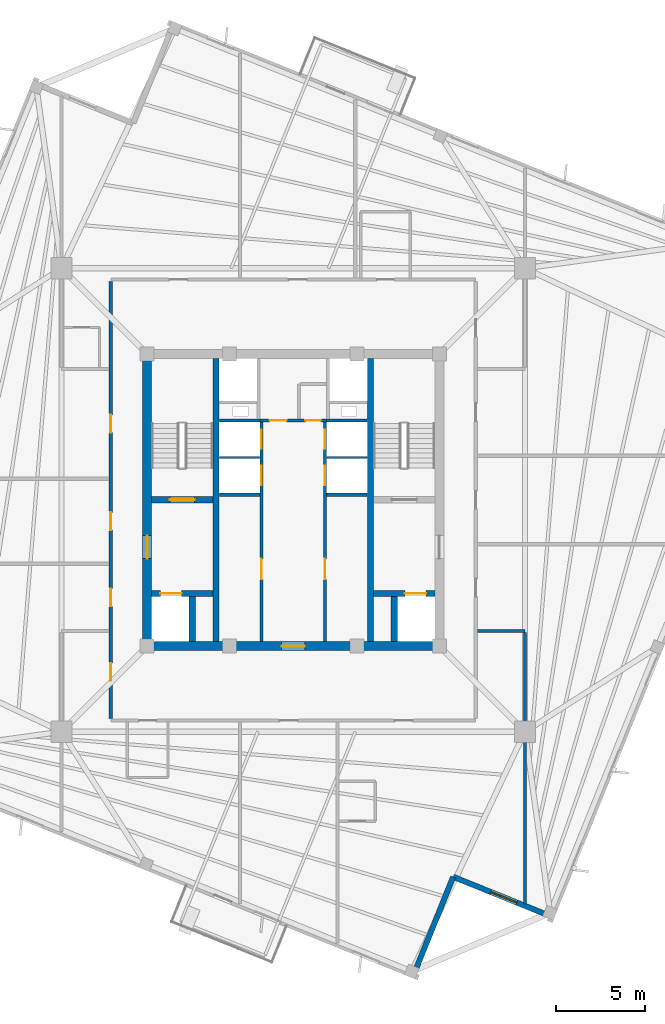
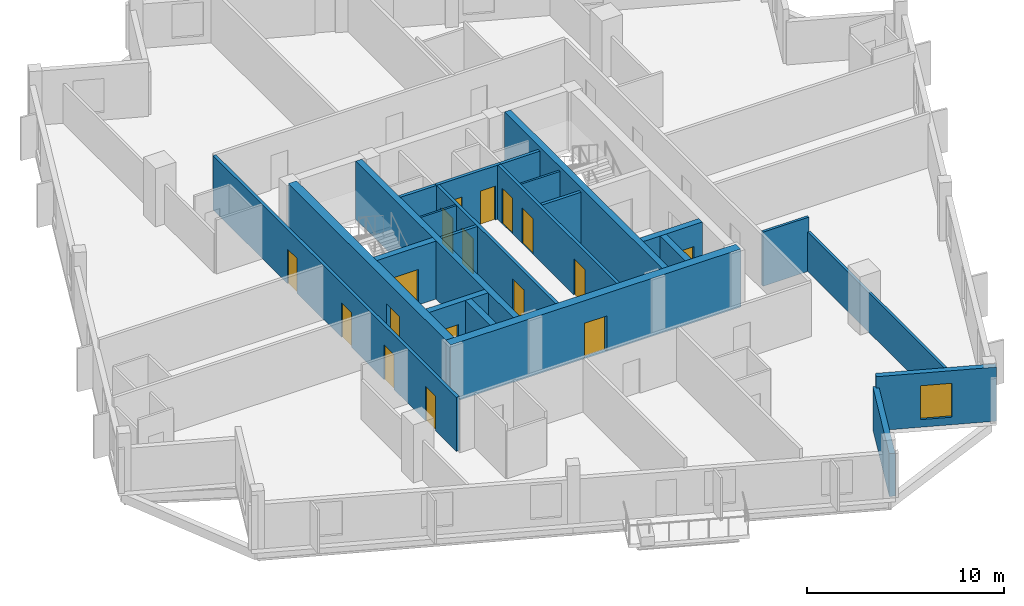
# One storey, part 3 of 8: 23 walls, 17 doors, 1 window, 18 openings.
"""IFC4 building model written with IfcOpenShell, lengths in metres."""

from ifc_helpers import new_model, si_unit, direction, frame, frame_2d, origin, place, context, subcontext, project, spatial, rectangle, extrude, source, transform, mapped, material, layer, layer_set, type_object, element, fill, save


model = new_model("IFC4")

# Units and contexts
model_context = context("Model", 3, precision=1e-05, world=origin(), true_north=direction((0.0, 1.0)))
body_context = subcontext(model_context, "Body", "Model", "MODEL_VIEW")
ifc_project = project(units=[si_unit("LENGTHUNIT", "METRE"), si_unit("AREAUNIT", "SQUARE_METRE"), si_unit("VOLUMEUNIT", "CUBIC_METRE"), si_unit("PLANEANGLEUNIT", "RADIAN"), si_unit("MASSUNIT", "GRAM", prefix="KILO"), si_unit("THERMODYNAMICTEMPERATUREUNIT", "KELVIN")], contexts=[model_context])

# Site, building, storey
site_placement = place(None, origin())
site = spatial("IfcSite", under=ifc_project, at=site_placement, CompositionType="ELEMENT")
building_placement = place(site_placement, origin())
building = spatial("IfcBuilding", under=site, at=building_placement, Name="Kosmvard Interchange Tower", CompositionType="ELEMENT")
storey_placement = place(building_placement, frame((0.0, 0.0, 308.39990234375)))
storey = spatial("IfcBuildingStorey", under=building, at=storey_placement, Name="L76", CompositionType="ELEMENT", Elevation=308.39990234375)

# Walls
ifc_material_1 = material(Name="Acoustic gypsum partition system")
ifc_layer_1 = layer(ifc_material_1, 0.14990234375, Name="Acoustic gypsum partition system")
ifc_layer_set_1 = layer_set([ifc_layer_1], Name="Acoustic gypsum partition system")
wall_type_1 = type_object("IfcWallType", Name="Acoustic Suite & Meeting Partition 150", PredefinedType="PARTITIONING", material=ifc_layer_set_1)
wall_1_placement = place(storey_placement, frame((10.39501953125, -7.39990234375, 0.0), z_axis=(0.0, 0.0, 1.0), x_axis=(1.0, 0.0, 0.0)))
element("IfcWall", 1, at=wall_1_placement, inside=storey, type_object=wall_type_1, Name="L76 Room Partition 13.1", PredefinedType="PARTITIONING", context=body_context, shape_type="SweptSolid", body=[
    extrude(rectangle(XDim=2.68603515625, YDim=0.14990234375, at=frame_2d((1.343017578125, 0.0))), origin(), (0.0, 0.0, 1.0), 3.35009765625),
])
wall_2_placement = place(storey_placement, frame((13.0810546875, -7.47509765625, 0.0), z_axis=(0.0, 0.0, 1.0), x_axis=(0.0, -1.0, 0.0)))
element("IfcWall", 2, at=wall_2_placement, inside=storey, type_object=wall_type_1, Name="L76 Room Partition 14.1", PredefinedType="PARTITIONING", context=body_context, shape_type="SweptSolid", body=[
    extrude(rectangle(XDim=15.341552734375, YDim=0.14990234375, at=frame_2d((7.6708984375, 0.0))), origin(), (0.0, 0.0, 1.0), 2.4501953125),
])

# Wall, openings, doors
ifc_material_2 = material(Name="Fire-rated gypsum partition system")
ifc_layer_2 = layer(ifc_material_2, 0.179931640625, Name="Fire-rated gypsum partition system")
ifc_layer_set_2 = layer_set([ifc_layer_2], Name="Fire-rated gypsum partition system")
wall_type_2 = type_object("IfcWallType", Name="Corridor & Hotel Compartment Partition 180", PredefinedType="PARTITIONING", material=ifc_layer_set_2)
wall_3_placement = place(storey_placement, frame((-1.7900390625, -7.97998046875, 0.0), z_axis=(0.0, 0.0, 1.0), x_axis=(0.0, 1.0, 0.0)))
wall_3 = element("IfcWall", 3, at=wall_3_placement, inside=storey, type_object=wall_type_2, Name="L76 West Lift Bank Front Wall", PredefinedType="PARTITIONING", context=body_context, shape_type="SweptSolid", body=[
    extrude(rectangle(XDim=12.3798828125, YDim=0.179931640625, at=frame_2d((6.18994140625, 0.0))), origin(), (0.0, 0.0, 1.0), 3.35009765625),
])
opening_1_placement = place(wall_3_placement, frame((8.800048828125, 0.0, 0.0)))
opening_1 = element("IfcOpeningElement", 4, at=opening_1_placement, cuts=wall_3, Name="Opening LD-PL-H1-L76", PredefinedType="OPENING", context=body_context, shape_type="SweptSolid", body=[
    extrude(rectangle(XDim=1.10009765625, YDim=2.199951171875, at=frame_2d((0.550048828125, 1.10009765625))), frame((0.0, 0.10009765625, 0.0), z_axis=(0.0, -1.0, 0.0), x_axis=(1.0, 0.0, 0.0)), (0.0, 0.0, 1.0), 0.199951171875),
])
opening_2_placement = place(wall_3_placement, frame((10.860107421875, 0.0, 0.0)))
opening_2 = element("IfcOpeningElement", 5, at=opening_2_placement, cuts=wall_3, Name="Opening LD-PL-H2-L76", PredefinedType="OPENING", context=body_context, shape_type="SweptSolid", body=[
    extrude(rectangle(XDim=1.10009765625, YDim=2.199951171875, at=frame_2d((0.550048828125, 1.10009765625))), frame((0.0, 0.10009765625, 0.0), z_axis=(0.0, -1.0, 0.0), x_axis=(1.0, 0.0, 0.0)), (0.0, 0.0, 1.0), 0.199951171875),
])
opening_3_placement = place(wall_3_placement, frame((3.5, 0.0, 0.0)))
opening_3 = element("IfcOpeningElement", 6, at=opening_3_placement, cuts=wall_3, Name="Opening L76-CD1", PredefinedType="OPENING", context=body_context, shape_type="SweptSolid", body=[
    extrude(rectangle(XDim=1.14990234375, YDim=2.25, at=frame_2d((0.574951171875, 1.125))), frame((0.0, 0.10009765625, 0.0), z_axis=(0.0, -1.0, 0.0), x_axis=(1.0, 0.0, 0.0)), (0.0, 0.0, 1.0), 0.199951171875),
])
ifc_material_3 = material(Name="Painted fire-rated steel leaf", Category="steel")
door_type_1 = type_object("IfcDoorType", Name="Plant & Riser Fire Door 1150x2250 EI60", OperationType="NOTDEFINED", PredefinedType="DOOR", material=ifc_material_3)
shared_shape_1 = source(origin(), body_context, "Body", "SweptSolid", [
    extrude(rectangle(XDim=1.14990234375, YDim=2.25, at=frame_2d((0.574951171875, 1.125))), frame((0.0, 0.02490234375, 0.0), z_axis=(0.0, -1.0, 0.0), x_axis=(1.0, 0.0, 0.0)), (0.0, 0.0, 1.0), 0.050048828125),
])
door_1_placement = place(opening_3_placement, origin())
door_1 = element("IfcDoor", 7, at=door_1_placement, inside=storey, type_object=door_type_1, Name="L76 Core Facility Store Door", OperationType="SINGLE_SWING_LEFT", OverallHeight=2.25, OverallWidth=1.14990234375, PredefinedType="DOOR", context=body_context, shape_type="MappedRepresentation", body=[
    mapped(shared_shape_1, transform((0.0, 0.0, 0.0), scale=1.0)),
])
fill(opening_3, door_1)
ifc_material_4 = material(Name="Brushed stainless steel sliding leaf", Category="steel")
door_type_2 = type_object("IfcDoorType", Name="Passenger Lift Sliding Landing Door 1100x2200 EI60", OperationType="DOUBLE_DOOR_SLIDING", PredefinedType="DOOR", material=ifc_material_4)
shared_shape_2 = source(origin(), body_context, "Body", "SweptSolid", [
    extrude(rectangle(XDim=1.10009765625, YDim=2.199951171875, at=frame_2d((0.550048828125, 1.10009765625))), frame((0.0, 0.02490234375, 0.0), z_axis=(0.0, -1.0, 0.0), x_axis=(1.0, 0.0, 0.0)), (0.0, 0.0, 1.0), 0.050048828125),
])
door_2_placement = place(opening_1_placement, frame((1.10009765625, 0.0, 0.0), z_axis=(0.0, 0.0, 1.0), x_axis=(-1.0, 0.0, 0.0)))
door_2 = element("IfcDoor", 8, at=door_2_placement, inside=storey, type_object=door_type_2, Name="Lift PL-H1 Landing Door L76", OperationType="DOUBLE_DOOR_SLIDING", OverallHeight=2.199951171875, OverallWidth=1.10009765625, PredefinedType="DOOR", context=body_context, shape_type="MappedRepresentation", body=[
    mapped(shared_shape_2, transform((0.0, 0.0, 0.0), scale=1.0)),
])
fill(opening_1, door_2)
door_3_placement = place(opening_2_placement, frame((1.10009765625, 0.0, 0.0), z_axis=(0.0, 0.0, 1.0), x_axis=(-1.0, 0.0, 0.0)))
door_3 = element("IfcDoor", 9, at=door_3_placement, inside=storey, type_object=door_type_2, Name="Lift PL-H2 Landing Door L76", OperationType="DOUBLE_DOOR_SLIDING", OverallHeight=2.199951171875, OverallWidth=1.10009765625, PredefinedType="DOOR", context=body_context, shape_type="MappedRepresentation", body=[
    mapped(shared_shape_2, transform((0.0, 0.0, 0.0), scale=1.0)),
])
fill(opening_2, door_3)

wall_4_placement = place(storey_placement, frame((1.7900390625, -7.97998046875, 0.0), z_axis=(0.0, 0.0, 1.0), x_axis=(0.0, 1.0, 0.0)))
wall_4 = element("IfcWall", 10, at=wall_4_placement, inside=storey, type_object=wall_type_2, Name="L76 East Lift Bank Front Wall", PredefinedType="PARTITIONING", context=body_context, shape_type="SweptSolid", body=[
    extrude(rectangle(XDim=12.3798828125, YDim=0.179931640625, at=frame_2d((6.18994140625, 0.0))), origin(), (0.0, 0.0, 1.0), 3.35009765625),
])
opening_4_placement = place(wall_4_placement, frame((8.800048828125, 0.0, 0.0)))
opening_4 = element("IfcOpeningElement", 11, at=opening_4_placement, cuts=wall_4, Name="Opening LD-PL-H3-L76", PredefinedType="OPENING", context=body_context, shape_type="SweptSolid", body=[
    extrude(rectangle(XDim=1.10009765625, YDim=2.199951171875, at=frame_2d((0.550048828125, 1.10009765625))), frame((0.0, 0.10009765625, 0.0), z_axis=(0.0, -1.0, 0.0), x_axis=(1.0, 0.0, 0.0)), (0.0, 0.0, 1.0), 0.199951171875),
])
opening_5_placement = place(wall_4_placement, frame((10.860107421875, 0.0, 0.0)))
opening_5 = element("IfcOpeningElement", 12, at=opening_5_placement, cuts=wall_4, Name="Opening LD-PL-H4-L76", PredefinedType="OPENING", context=body_context, shape_type="SweptSolid", body=[
    extrude(rectangle(XDim=1.10009765625, YDim=2.199951171875, at=frame_2d((0.550048828125, 1.10009765625))), frame((0.0, 0.10009765625, 0.0), z_axis=(0.0, -1.0, 0.0), x_axis=(1.0, 0.0, 0.0)), (0.0, 0.0, 1.0), 0.199951171875),
])
opening_6_placement = place(wall_4_placement, frame((3.5, 0.0, 0.0)))
opening_6 = element("IfcOpeningElement", 13, at=opening_6_placement, cuts=wall_4, Name="Opening L76-CD2", PredefinedType="OPENING", context=body_context, shape_type="SweptSolid", body=[
    extrude(rectangle(XDim=1.14990234375, YDim=2.25, at=frame_2d((0.574951171875, 1.125))), frame((0.0, 0.10009765625, 0.0), z_axis=(0.0, -1.0, 0.0), x_axis=(1.0, 0.0, 0.0)), (0.0, 0.0, 1.0), 0.199951171875),
])
door_4_placement = place(opening_6_placement, frame((1.14990234375, 0.0, 0.0), z_axis=(0.0, 0.0, 1.0), x_axis=(-1.0, 0.0, 0.0)))
door_4 = element("IfcDoor", 14, at=door_4_placement, inside=storey, type_object=door_type_1, Name="L76 Core BMS UPS Door", OperationType="SINGLE_SWING_RIGHT", OverallHeight=2.25, OverallWidth=1.14990234375, PredefinedType="DOOR", context=body_context, shape_type="MappedRepresentation", body=[
    mapped(shared_shape_1, transform((0.0, 0.0, 0.0), scale=1.0)),
])
fill(opening_6, door_4)
door_5_placement = place(opening_4_placement, origin())
door_5 = element("IfcDoor", 15, at=door_5_placement, inside=storey, type_object=door_type_2, Name="Lift PL-H3 Landing Door L76", OperationType="DOUBLE_DOOR_SLIDING", OverallHeight=2.199951171875, OverallWidth=1.10009765625, PredefinedType="DOOR", context=body_context, shape_type="MappedRepresentation", body=[
    mapped(shared_shape_2, transform((0.0, 0.0, 0.0), scale=1.0)),
])
fill(opening_4, door_5)
door_6_placement = place(opening_5_placement, origin())
door_6 = element("IfcDoor", 16, at=door_6_placement, inside=storey, type_object=door_type_2, Name="Lift PL-H4 Landing Door L76", OperationType="DOUBLE_DOOR_SLIDING", OverallHeight=2.199951171875, OverallWidth=1.10009765625, PredefinedType="DOOR", context=body_context, shape_type="MappedRepresentation", body=[
    mapped(shared_shape_2, transform((0.0, 0.0, 0.0), scale=1.0)),
])
fill(opening_5, door_6)

wall_5_placement = place(storey_placement, frame((-1.8798828125, 4.489990234375, 0.0), z_axis=(0.0, 0.0, 1.0), x_axis=(1.0, 0.0, 0.0)))
wall_5 = element("IfcWall", 17, at=wall_5_placement, inside=storey, type_object=wall_type_2, Name="L76 Lift Lobby North Partition", PredefinedType="PARTITIONING", context=body_context, shape_type="SweptSolid", body=[
    extrude(rectangle(XDim=3.759765625, YDim=0.179931640625, at=frame_2d((1.8798828125, 0.0))), origin(), (0.0, 0.0, 1.0), 3.35009765625),
])
opening_7_placement = place(wall_5_placement, frame((0.550048828125, 0.0, 0.0)))
opening_7 = element("IfcOpeningElement", 18, at=opening_7_placement, cuts=wall_5, Name="Opening L76-KD1", PredefinedType="OPENING", context=body_context, shape_type="SweptSolid", body=[
    extrude(rectangle(XDim=0.949951171875, YDim=2.10009765625, at=frame_2d((0.47509765625, 1.050048828125))), frame((0.0, 0.10009765625, 0.0), z_axis=(0.0, -1.0, 0.0), x_axis=(1.0, 0.0, 0.0)), (0.0, 0.0, 1.0), 0.199951171875),
])
opening_8_placement = place(wall_5_placement, frame((2.56005859375, 0.0, 0.0)))
opening_8 = element("IfcOpeningElement", 19, at=opening_8_placement, cuts=wall_5, Name="Opening L76-KD2", PredefinedType="OPENING", context=body_context, shape_type="SweptSolid", body=[
    extrude(rectangle(XDim=0.8798828125, YDim=2.10009765625, at=frame_2d((0.43994140625, 1.050048828125))), frame((0.0, 0.10009765625, 0.0), z_axis=(0.0, -1.0, 0.0), x_axis=(1.0, 0.0, 0.0)), (0.0, 0.0, 1.0), 0.199951171875),
])
ifc_material_5 = material(Name="Painted fire-rated timber leaf", Category="wood")
door_type_3 = type_object("IfcDoorType", Name="Core Service Fire Door 950x2100 EI30", OperationType="NOTDEFINED", PredefinedType="DOOR", material=ifc_material_5)
shared_shape_3 = source(origin(), body_context, "Body", "SweptSolid", [
    extrude(rectangle(XDim=0.949951171875, YDim=2.10009765625, at=frame_2d((0.47509765625, 1.050048828125))), frame((0.0, 0.02490234375, 0.0), z_axis=(0.0, -1.0, 0.0), x_axis=(1.0, 0.0, 0.0)), (0.0, 0.0, 1.0), 0.050048828125),
])
door_7_placement = place(opening_7_placement, origin())
door_7 = element("IfcDoor", 20, at=door_7_placement, inside=storey, type_object=door_type_3, Name="L76 Core Archive Store Door", OperationType="SINGLE_SWING_LEFT", OverallHeight=2.10009765625, OverallWidth=0.949951171875, PredefinedType="DOOR", context=body_context, shape_type="MappedRepresentation", body=[
    mapped(shared_shape_3, transform((0.0, 0.0, 0.0), scale=1.0)),
])
fill(opening_7, door_7)
door_type_4 = type_object("IfcDoorType", Name="Core Cupboard Fire Door 880x2100 EI30", OperationType="NOTDEFINED", PredefinedType="DOOR", material=ifc_material_5)
shared_shape_4 = source(origin(), body_context, "Body", "SweptSolid", [
    extrude(rectangle(XDim=0.8798828125, YDim=2.10009765625, at=frame_2d((0.43994140625, 1.050048828125))), frame((0.0, 0.02490234375, 0.0), z_axis=(0.0, -1.0, 0.0), x_axis=(1.0, 0.0, 0.0)), (0.0, 0.0, 1.0), 0.050048828125),
])
door_8_placement = place(opening_8_placement, origin())
door_8 = element("IfcDoor", 21, at=door_8_placement, inside=storey, type_object=door_type_4, Name="L76 Core Supplies Cupboard Door", OperationType="SINGLE_SWING_RIGHT", OverallHeight=2.10009765625, OverallWidth=0.8798828125, PredefinedType="DOOR", context=body_context, shape_type="MappedRepresentation", body=[
    mapped(shared_shape_4, transform((0.0, 0.0, 0.0), scale=1.0)),
])
fill(opening_8, door_8)

wall_6_placement = place(storey_placement, frame((-10.300048828125, -12.35009765625, 0.0), z_axis=(0.0, 0.0, 1.0), x_axis=(0.0, 1.0, 0.0)))
wall_6 = element("IfcWall", 22, at=wall_6_placement, inside=storey, type_object=wall_type_2, Name="L76 Corridor Wall CW", PredefinedType="PARTITIONING", context=body_context, shape_type="SweptSolid", body=[
    extrude(rectangle(XDim=24.7001953125, YDim=0.179931640625, at=frame_2d((12.35009765625, 0.0))), origin(), (0.0, 0.0, 1.0), 3.35009765625),
])
opening_9_placement = place(wall_6_placement, frame((16.14990234375, 0.0, 0.0)))
opening_9 = element("IfcOpeningElement", 23, at=opening_9_placement, cuts=wall_6, Name="Opening L76-D03", PredefinedType="OPENING", context=body_context, shape_type="SweptSolid", body=[
    extrude(rectangle(XDim=1.0, YDim=2.14990234375, at=frame_2d((0.5, 1.074951171875))), frame((0.0, 0.10009765625, 0.0), z_axis=(0.0, -1.0, 0.0), x_axis=(1.0, 0.0, 0.0)), (0.0, 0.0, 1.0), 0.199951171875),
])
opening_10_placement = place(wall_6_placement, frame((2.139404296875, 0.0, 0.0)))
opening_10 = element("IfcOpeningElement", 24, at=opening_10_placement, cuts=wall_6, Name="Opening L76-D15", PredefinedType="OPENING", context=body_context, shape_type="SweptSolid", body=[
    extrude(rectangle(XDim=1.0, YDim=2.14990234375, at=frame_2d((0.5, 1.074951171875))), frame((0.0, 0.10009765625, 0.0), z_axis=(0.0, -1.0, 0.0), x_axis=(1.0, 0.0, 0.0)), (0.0, 0.0, 1.0), 0.199951171875),
])
opening_11_placement = place(wall_6_placement, frame((6.35009765625, 0.0, 0.0)))
opening_11 = element("IfcOpeningElement", 25, at=opening_11_placement, cuts=wall_6, Name="Opening L76-D16", PredefinedType="OPENING", context=body_context, shape_type="SweptSolid", body=[
    extrude(rectangle(XDim=1.0, YDim=2.14990234375, at=frame_2d((0.5, 1.074951171875))), frame((0.0, 0.10009765625, 0.0), z_axis=(0.0, -1.0, 0.0), x_axis=(1.0, 0.0, 0.0)), (0.0, 0.0, 1.0), 0.199951171875),
])
opening_12_placement = place(wall_6_placement, frame((10.64990234375, 0.0, 0.0)))
opening_12 = element("IfcOpeningElement", 26, at=opening_12_placement, cuts=wall_6, Name="Opening L76-D18", PredefinedType="OPENING", context=body_context, shape_type="SweptSolid", body=[
    extrude(rectangle(XDim=1.0, YDim=2.14990234375, at=frame_2d((0.5, 1.074951171875))), frame((0.0, 0.10009765625, 0.0), z_axis=(0.0, -1.0, 0.0), x_axis=(1.0, 0.0, 0.0)), (0.0, 0.0, 1.0), 0.199951171875),
])
ifc_material_6 = material(Name="Engineered oak fire-rated timber", Category="wood")
door_type_5 = type_object("IfcDoorType", Name="Hotel Guestroom Entrance Door 1000x2150 EI60", OperationType="NOTDEFINED", PredefinedType="DOOR", material=ifc_material_6)
shared_shape_5 = source(origin(), body_context, "Body", "SweptSolid", [
    extrude(rectangle(XDim=1.0, YDim=2.14990234375, at=frame_2d((0.5, 1.074951171875))), frame((0.0, 0.02490234375, 0.0), z_axis=(0.0, -1.0, 0.0), x_axis=(1.0, 0.0, 0.0)), (0.0, 0.0, 1.0), 0.050048828125),
])
door_9_placement = place(opening_9_placement, origin())
door_9 = element("IfcDoor", 27, at=door_9_placement, inside=storey, type_object=door_type_5, Name="L76 Hotel Sky Dining Restaurant Door", OperationType="SINGLE_SWING_LEFT", OverallHeight=2.14990234375, OverallWidth=1.0, PredefinedType="DOOR", context=body_context, shape_type="MappedRepresentation", body=[
    mapped(shared_shape_5, transform((0.0, 0.0, 0.0), scale=1.0)),
])
fill(opening_9, door_9)
door_10_placement = place(opening_10_placement, origin())
door_10 = element("IfcDoor", 28, at=door_10_placement, inside=storey, type_object=door_type_5, Name="L76 Hotel Banquet Catering Kitchen Door", OperationType="SINGLE_SWING_LEFT", OverallHeight=2.14990234375, OverallWidth=1.0, PredefinedType="DOOR", context=body_context, shape_type="MappedRepresentation", body=[
    mapped(shared_shape_5, transform((0.0, 0.0, 0.0), scale=1.0)),
])
fill(opening_10, door_10)
door_11_placement = place(opening_11_placement, origin())
door_11 = element("IfcDoor", 29, at=door_11_placement, inside=storey, type_object=door_type_5, Name="L76 Hotel Companion Junior Suite 1 Door", OperationType="SINGLE_SWING_RIGHT", OverallHeight=2.14990234375, OverallWidth=1.0, PredefinedType="DOOR", context=body_context, shape_type="MappedRepresentation", body=[
    mapped(shared_shape_5, transform((0.0, 0.0, 0.0), scale=1.0)),
])
fill(opening_11, door_11)
door_12_placement = place(opening_12_placement, origin())
door_12 = element("IfcDoor", 30, at=door_12_placement, inside=storey, type_object=door_type_5, Name="L76 Hotel Diplomatic Suite 4 Door", OperationType="SINGLE_SWING_RIGHT", OverallHeight=2.14990234375, OverallWidth=1.0, PredefinedType="DOOR", context=body_context, shape_type="MappedRepresentation", body=[
    mapped(shared_shape_5, transform((0.0, 0.0, 0.0), scale=1.0)),
])
fill(opening_12, door_12)

# Walls
ifc_material_7 = material(Name="Concrete blockwork masonry", Category="masonry")
ifc_layer_3 = layer(ifc_material_7, 0.179931640625, Name="Concrete blockwork masonry")
ifc_layer_set_3 = layer_set([ifc_layer_3], Name="Concrete blockwork masonry")
wall_type_3 = type_object("IfcWallType", Name="Riser & Lift Bank Divider Wall 180", PredefinedType="PARTITIONING", material=ifc_layer_set_3)
for number, where, z_axis, x_axis, name in (
    (31, (-4.169921875, 0.300048828125, 0.0), (0.0, 0.0, 1.0), (1.0, 0.0, 0.0), "L76 West Bank Divider BD2"),
    (32, (1.889892578125, 0.300048828125, 0.0), (0.0, 0.0, 1.0), (1.0, 0.0, 0.0), "L76 East Bank Divider BD2"),
    (33, (-4.169921875, 4.489990234375, 0.0), (0.0, 0.0, 1.0), (1.0, 0.0, 0.0), "L76 West Bank Divider BD3"),
    (34, (1.889892578125, 4.489990234375, 0.0), (0.0, 0.0, 1.0), (1.0, 0.0, 0.0), "L76 East Bank Divider BD3"),
):
    element("IfcWall", number, at=place(storey_placement, frame(where, z_axis=z_axis, x_axis=x_axis)), inside=storey, type_object=wall_type_3, Name=name, PredefinedType="PARTITIONING", context=body_context, shape_type="SweptSolid", body=[
        extrude(rectangle(XDim=2.280029296875, YDim=0.179931640625, at=frame_2d((1.14013671875, 0.0))), origin(), (0.0, 0.0, 1.0), 3.35009765625),
    ])
ifc_material_8 = material(Name="Fire-rated gypsum shaftwall system")
ifc_layer_4 = layer(ifc_material_8, 0.1201171875, Name="Fire-rated gypsum shaftwall system")
ifc_layer_set_4 = layer_set([ifc_layer_4], Name="Fire-rated gypsum shaftwall system")
wall_type_4 = type_object("IfcWallType", Name="Shaft & Riser Fire Partition 120 EI60", PredefinedType="PARTITIONING", material=ifc_layer_set_4)
for number, where, z_axis, x_axis, name in (
    (35, (-4.159912109375, 2.39990234375, 0.0), (0.0, 0.0, 1.0), (1.0, 0.0, 0.0), "L76 Shaft Divider PL-H1"),
    (36, (1.89990234375, 2.39990234375, 0.0), (0.0, 0.0, 1.0), (1.0, 0.0, 0.0), "L76 Shaft Divider PL-H3"),
):
    element("IfcWall", number, at=place(storey_placement, frame(where, z_axis=z_axis, x_axis=x_axis)), inside=storey, type_object=wall_type_4, Name=name, PredefinedType="PARTITIONING", context=body_context, shape_type="SweptSolid", body=[
        extrude(rectangle(XDim=2.260009765625, YDim=0.1201171875, at=frame_2d((1.1298828125, 0.0))), origin(), (0.0, 0.0, 1.0), 3.35009765625),
    ])
ifc_material_9 = material(Name="Concrete C60/75", Category="concrete")
ifc_layer_5 = layer(ifc_material_9, 0.360107421875, Name="Concrete C60/75")
ifc_layer_set_5 = layer_set([ifc_layer_5], Name="Concrete C60/75")
wall_type_5 = type_object("IfcWallType", Name="Stair & Lift Shaft Shear Wall 360 C60/75", PredefinedType="SHEAR", material=ifc_layer_set_5)
for number, where, z_axis, x_axis, name in (
    (37, (-4.360107421875, -8.0, 0.0), (0.0, 0.0, 1.0), (0.0, 1.0, 0.0), "L76 Shaft Shear Wall SW-W"),
    (38, (4.360107421875, -8.0, 0.0), (0.0, 0.0, 1.0), (0.0, 1.0, 0.0), "L76 Shaft Shear Wall SW-E"),
):
    element("IfcWall", number, at=place(storey_placement, frame(where, z_axis=z_axis, x_axis=x_axis)), inside=storey, type_object=wall_type_5, Name=name, PredefinedType="SHEAR", context=body_context, shape_type="SweptSolid", body=[
        extrude(rectangle(XDim=16.0, YDim=0.360107421875, at=frame_2d((8.0, 0.0))), origin(), (0.0, 0.0, 1.0), 3.60009765625),
    ])

# Wall, opening, door
wall_7_placement = place(storey_placement, frame((-8.0, 0.02001953125, 0.0), z_axis=(0.0, 0.0, 1.0), x_axis=(1.0, 0.0, 0.0)))
wall_7 = element("IfcWall", 39, at=wall_7_placement, inside=storey, type_object=wall_type_5, Name="L76 Shaft Shear Wall SW-ST1", PredefinedType="SHEAR", context=body_context, shape_type="SweptSolid", body=[
    extrude(rectangle(XDim=3.4599609375, YDim=0.360107421875, at=frame_2d((1.72998046875, 0.0))), origin(), (0.0, 0.0, 1.0), 3.60009765625),
])
opening_13_placement = place(wall_7_placement, frame((1.030029296875, 0.0, 0.0)))
opening_13 = element("IfcOpeningElement", 40, at=opening_13_placement, cuts=wall_7, Name="Opening L76-SD1", PredefinedType="OPENING", context=body_context, shape_type="SweptSolid", body=[
    extrude(rectangle(XDim=1.39990234375, YDim=2.199951171875, at=frame_2d((0.699951171875, 1.10009765625))), frame((0.0, 0.18994140625, 0.0), z_axis=(0.0, -1.0, 0.0), x_axis=(1.0, 0.0, 0.0)), (0.0, 0.0, 1.0), 0.380126953125),
])
door_type_6 = type_object("IfcDoorType", Name="Protected Stair Door 1400x2200 FD60S", OperationType="NOTDEFINED", PredefinedType="DOOR", material=ifc_material_3)
shared_shape_6 = source(origin(), body_context, "Body", "SweptSolid", [
    extrude(rectangle(XDim=1.39990234375, YDim=2.199951171875, at=frame_2d((0.699951171875, 1.10009765625))), frame((0.0, 0.02490234375, 0.0), z_axis=(0.0, -1.0, 0.0), x_axis=(1.0, 0.0, 0.0)), (0.0, 0.0, 1.0), 0.050048828125),
])
door_13_placement = place(opening_13_placement, origin())
door_13 = element("IfcDoor", 41, at=door_13_placement, inside=storey, type_object=door_type_6, Name="L76 Stair ST-1 Enclosure Door", OperationType="SINGLE_SWING_LEFT", OverallHeight=2.199951171875, OverallWidth=1.39990234375, PredefinedType="DOOR", context=body_context, shape_type="MappedRepresentation", body=[
    mapped(shared_shape_6, transform((0.0, 0.0, 0.0), scale=1.0)),
])
fill(opening_13, door_13)

wall_8_placement = place(storey_placement, frame((-8.0, -5.280029296875, 0.0), z_axis=(0.0, 0.0, 1.0), x_axis=(1.0, 0.0, 0.0)))
wall_8 = element("IfcWall", 42, at=wall_8_placement, inside=storey, type_object=wall_type_5, Name="L76 Shaft Shear Wall SW-FF1", PredefinedType="SHEAR", context=body_context, shape_type="SweptSolid", body=[
    extrude(rectangle(XDim=3.4599609375, YDim=0.360107421875, at=frame_2d((1.72998046875, 0.0))), origin(), (0.0, 0.0, 1.0), 3.60009765625),
])
opening_14_placement = place(wall_8_placement, frame((0.5, 0.0, 0.0)))
opening_14 = element("IfcOpeningElement", 43, at=opening_14_placement, cuts=wall_8, Name="Opening LD-FF-1-L76", PredefinedType="OPENING", context=body_context, shape_type="SweptSolid", body=[
    extrude(rectangle(XDim=1.199951171875, YDim=2.25, at=frame_2d((0.60009765625, 1.125))), frame((0.0, 0.18994140625, 0.0), z_axis=(0.0, -1.0, 0.0), x_axis=(1.0, 0.0, 0.0)), (0.0, 0.0, 1.0), 0.380126953125),
])
door_type_7 = type_object("IfcDoorType", Name="Firefighting Lift Sliding Landing Door 1200x2250 EI120", OperationType="DOUBLE_DOOR_SLIDING", PredefinedType="DOOR", material=ifc_material_4)
shared_shape_7 = source(origin(), body_context, "Body", "SweptSolid", [
    extrude(rectangle(XDim=1.199951171875, YDim=2.25, at=frame_2d((0.60009765625, 1.125))), frame((0.0, 0.02490234375, 0.0), z_axis=(0.0, -1.0, 0.0), x_axis=(1.0, 0.0, 0.0)), (0.0, 0.0, 1.0), 0.050048828125),
])
door_14_placement = place(opening_14_placement, origin())
door_14 = element("IfcDoor", 44, at=door_14_placement, inside=storey, type_object=door_type_7, Name="Lift FF-1 Landing Door L76", OperationType="DOUBLE_DOOR_SLIDING", OverallHeight=2.25, OverallWidth=1.199951171875, PredefinedType="DOOR", context=body_context, shape_type="MappedRepresentation", body=[
    mapped(shared_shape_7, transform((0.0, 0.0, 0.0), scale=1.0)),
])
fill(opening_14, door_14)

wall_9_placement = place(storey_placement, frame((4.5400390625, -5.280029296875, 0.0), z_axis=(0.0, 0.0, 1.0), x_axis=(1.0, 0.0, 0.0)))
wall_9 = element("IfcWall", 45, at=wall_9_placement, inside=storey, type_object=wall_type_5, Name="L76 Shaft Shear Wall SW-FF2", PredefinedType="SHEAR", context=body_context, shape_type="SweptSolid", body=[
    extrude(rectangle(XDim=3.4599609375, YDim=0.360107421875, at=frame_2d((1.72998046875, 0.0))), origin(), (0.0, 0.0, 1.0), 3.60009765625),
])
opening_15_placement = place(wall_9_placement, frame((1.760009765625, 0.0, 0.0)))
opening_15 = element("IfcOpeningElement", 46, at=opening_15_placement, cuts=wall_9, Name="Opening LD-FF-2-L76", PredefinedType="OPENING", context=body_context, shape_type="SweptSolid", body=[
    extrude(rectangle(XDim=1.199951171875, YDim=2.25, at=frame_2d((0.60009765625, 1.125))), frame((0.0, 0.18994140625, 0.0), z_axis=(0.0, -1.0, 0.0), x_axis=(1.0, 0.0, 0.0)), (0.0, 0.0, 1.0), 0.380126953125),
])
door_15_placement = place(opening_15_placement, origin())
door_15 = element("IfcDoor", 47, at=door_15_placement, inside=storey, type_object=door_type_7, Name="Lift FF-2 Landing Door L76", OperationType="DOUBLE_DOOR_SLIDING", OverallHeight=2.25, OverallWidth=1.199951171875, PredefinedType="DOOR", context=body_context, shape_type="MappedRepresentation", body=[
    mapped(shared_shape_7, transform((0.0, 0.0, 0.0), scale=1.0)),
])
fill(opening_15, door_15)

# Walls
for number, where, z_axis, x_axis, name in (
    (48, (-5.7099609375, -8.0, 0.0), (0.0, 0.0, 1.0), (0.0, 1.0, 0.0), "L76 Shaft Shear Wall SW-SM1"),
    (49, (5.7099609375, -8.0, 0.0), (0.0, 0.0, 1.0), (0.0, 1.0, 0.0), "L76 Shaft Shear Wall SW-SM2"),
):
    element("IfcWall", number, at=place(storey_placement, frame(where, z_axis=z_axis, x_axis=x_axis)), inside=storey, type_object=wall_type_5, Name=name, PredefinedType="SHEAR", context=body_context, shape_type="SweptSolid", body=[
        extrude(rectangle(XDim=2.5400390625, YDim=0.360107421875, at=frame_2d((1.27001953125, 0.0))), origin(), (0.0, 0.0, 1.0), 3.60009765625),
    ])

# Wall, opening, door
ifc_layer_6 = layer(ifc_material_9, 0.5, Name="Concrete C60/75")
ifc_layer_set_6 = layer_set([ifc_layer_6], Name="Concrete C60/75")
wall_type_6 = type_object("IfcWallType", Name="Upper Core Shear Wall 500 C60/75", PredefinedType="SHEAR", material=ifc_layer_set_6)
wall_10_placement = place(storey_placement, frame((-8.5, -8.25, 0.0), z_axis=(0.0, 0.0, 1.0), x_axis=(1.0, 0.0, 0.0)))
wall_10 = element("IfcWall", 50, at=wall_10_placement, inside=storey, type_object=wall_type_6, Name="L76 Core Shear Wall CW-S", PredefinedType="SHEAR", context=body_context, shape_type="SweptSolid", body=[
    extrude(rectangle(XDim=17.0, YDim=0.5, at=frame_2d((8.5, 0.0))), origin(), (0.0, 0.0, 1.0), 3.60009765625),
])
opening_16_placement = place(wall_10_placement, frame((7.85009765625, 0.0, 0.0)))
opening_16 = element("IfcOpeningElement", 51, at=opening_16_placement, cuts=wall_10, Name="Opening L76-LD0", PredefinedType="OPENING", context=body_context, shape_type="SweptSolid", body=[
    extrude(rectangle(XDim=1.300048828125, YDim=2.199951171875, at=frame_2d((0.64990234375, 1.10009765625))), frame((0.0, 0.260009765625, 0.0), z_axis=(0.0, -1.0, 0.0), x_axis=(1.0, 0.0, 0.0)), (0.0, 0.0, 1.0), 0.52001953125),
])
door_type_8 = type_object("IfcDoorType", Name="Firefighting Lobby Door 1300x2200 EI60", OperationType="NOTDEFINED", PredefinedType="DOOR", material=ifc_material_3)
shared_shape_8 = source(origin(), body_context, "Body", "SweptSolid", [
    extrude(rectangle(XDim=1.300048828125, YDim=2.199951171875, at=frame_2d((0.64990234375, 1.10009765625))), frame((0.0, 0.02490234375, 0.0), z_axis=(0.0, -1.0, 0.0), x_axis=(1.0, 0.0, 0.0)), (0.0, 0.0, 1.0), 0.050048828125),
])
door_16_placement = place(opening_16_placement, frame((1.300048828125, 0.0, 0.0), z_axis=(0.0, 0.0, 1.0), x_axis=(-1.0, 0.0, 0.0)))
door_16 = element("IfcDoor", 52, at=door_16_placement, inside=storey, type_object=door_type_8, Name="L76 Passenger Lift Lobby South Door", OperationType="SINGLE_SWING_RIGHT", OverallHeight=2.199951171875, OverallWidth=1.300048828125, PredefinedType="DOOR", context=body_context, shape_type="MappedRepresentation", body=[
    mapped(shared_shape_8, transform((0.0, 0.0, 0.0), scale=1.0)),
])
fill(opening_16, door_16)

wall_11_placement = place(storey_placement, frame((-8.25, -8.0, 0.0), z_axis=(0.0, 0.0, 1.0), x_axis=(0.0, 1.0, 0.0)))
wall_11 = element("IfcWall", 53, at=wall_11_placement, inside=storey, type_object=wall_type_6, Name="L76 Core Shear Wall CW-W", PredefinedType="SHEAR", context=body_context, shape_type="SweptSolid", body=[
    extrude(rectangle(XDim=16.0, YDim=0.5, at=frame_2d((8.0, 0.0))), origin(), (0.0, 0.0, 1.0), 3.60009765625),
])
opening_17_placement = place(wall_11_placement, frame((4.68994140625, 0.0, 0.0)))
opening_17 = element("IfcOpeningElement", 54, at=opening_17_placement, cuts=wall_11, Name="Opening L76-FD1", PredefinedType="OPENING", context=body_context, shape_type="SweptSolid", body=[
    extrude(rectangle(XDim=1.300048828125, YDim=2.199951171875, at=frame_2d((0.64990234375, 1.10009765625))), frame((0.0, 0.260009765625, 0.0), z_axis=(0.0, -1.0, 0.0), x_axis=(1.0, 0.0, 0.0)), (0.0, 0.0, 1.0), 0.52001953125),
])
door_17_placement = place(opening_17_placement, frame((1.300048828125, 0.0, 0.0), z_axis=(0.0, 0.0, 1.0), x_axis=(-1.0, 0.0, 0.0)))
door_17 = element("IfcDoor", 55, at=door_17_placement, inside=storey, type_object=door_type_8, Name="L76 Firefighting Lobby West Door", OperationType="SINGLE_SWING_LEFT", OverallHeight=2.199951171875, OverallWidth=1.300048828125, PredefinedType="DOOR", context=body_context, shape_type="MappedRepresentation", body=[
    mapped(shared_shape_8, transform((0.0, 0.0, 0.0), scale=1.0)),
])
fill(opening_17, door_17)

# Wall
ifc_material_10 = material(Name="Precast concrete C45/55", Category="concrete")
ifc_layer_7 = layer(ifc_material_10, 0.31005859375, Name="Precast concrete C45/55")
ifc_layer_set_7 = layer_set([ifc_layer_7], Name="Precast concrete C45/55")
wall_type_7 = type_object("IfcWallType", Name="Upper Tower Precast Pier Wall 310 C45/55", PredefinedType="STANDARD", material=ifc_layer_set_7)
wall_12_placement = place(storey_placement, frame((6.7841796875, -26.8408203125, 0.0), z_axis=(0.0, 0.0, 1.0), x_axis=(0.374636620962, 0.927171722085, 0.0)))
element("IfcWall", 56, at=wall_12_placement, inside=storey, type_object=wall_type_7, Name="L76 Precast Facade Wall N-SW1", PredefinedType="STANDARD", context=body_context, shape_type="SweptSolid", body=[
    extrude(rectangle(XDim=6.0, YDim=0.31005859375, at=frame_2d((3.0, 0.0))), origin(), (0.0, 0.0, 1.0), 2.650146484375),
])

# Wall, opening, window
wall_13_placement = place(storey_placement, frame((9.031982421875, -21.27783203125, 0.0), z_axis=(0.0, 0.0, 1.0), x_axis=(0.927185411764, -0.374602739196, 0.0)))
wall_13 = element("IfcWall", 57, at=wall_13_placement, inside=storey, type_object=wall_type_7, Name="L76 Precast Facade Wall N-SW2", PredefinedType="STANDARD", context=body_context, shape_type="SweptSolid", body=[
    extrude(rectangle(XDim=6.155029296875, YDim=0.31005859375, at=frame_2d((3.07763671875, 0.0))), origin(), (0.0, 0.0, 1.0), 3.35009765625),
])
opening_18_placement = place(wall_13_placement, frame((2.277587890625, 0.0, 0.469970703125)))
opening_18 = element("IfcOpeningElement", 58, at=opening_18_placement, cuts=wall_13, Name="Opening L76-W24", PredefinedType="OPENING", context=body_context, shape_type="SweptSolid", body=[
    extrude(rectangle(XDim=1.60009765625, YDim=2.10009765625, at=frame_2d((0.800048828125, 1.050048828125))), frame((0.0, 0.1650390625, 0.0), z_axis=(0.0, -1.0, 0.0), x_axis=(1.0, 0.0, 0.0)), (0.0, 0.0, 1.0), 0.330078125),
])
ifc_material_11 = material(Name="Low-E acoustic double glazing", Category="glass")
window_type = type_object("IfcWindowType", Name="Zone 5 Hotel Punched Window 1600x2100", PartitioningType="SINGLE_PANEL", PredefinedType="WINDOW", material=ifc_material_11)
shared_shape_9 = source(origin(), body_context, "Body", "SweptSolid", [
    extrude(rectangle(XDim=1.60009765625, YDim=2.10009765625, at=frame_2d((0.800048828125, 1.050048828125))), frame((0.0, 0.030029296875, 0.0), z_axis=(0.0, -1.0, 0.0), x_axis=(1.0, 0.0, 0.0)), (0.0, 0.0, 1.0), 0.06005859375),
])
window_placement = place(opening_18_placement, origin())
window = element("IfcWindow", 59, at=window_placement, inside=storey, type_object=window_type, Name="L76 Corner Notch Window 24", OverallHeight=2.10009765625, OverallWidth=1.60009765625, PartitioningType="SINGLE_PANEL", PredefinedType="WINDOW", context=body_context, shape_type="MappedRepresentation", body=[
    mapped(shared_shape_9, transform((0.0, 0.0, 0.0), scale=1.0)),
])
fill(opening_18, window)

save(model, "model.ifc")
